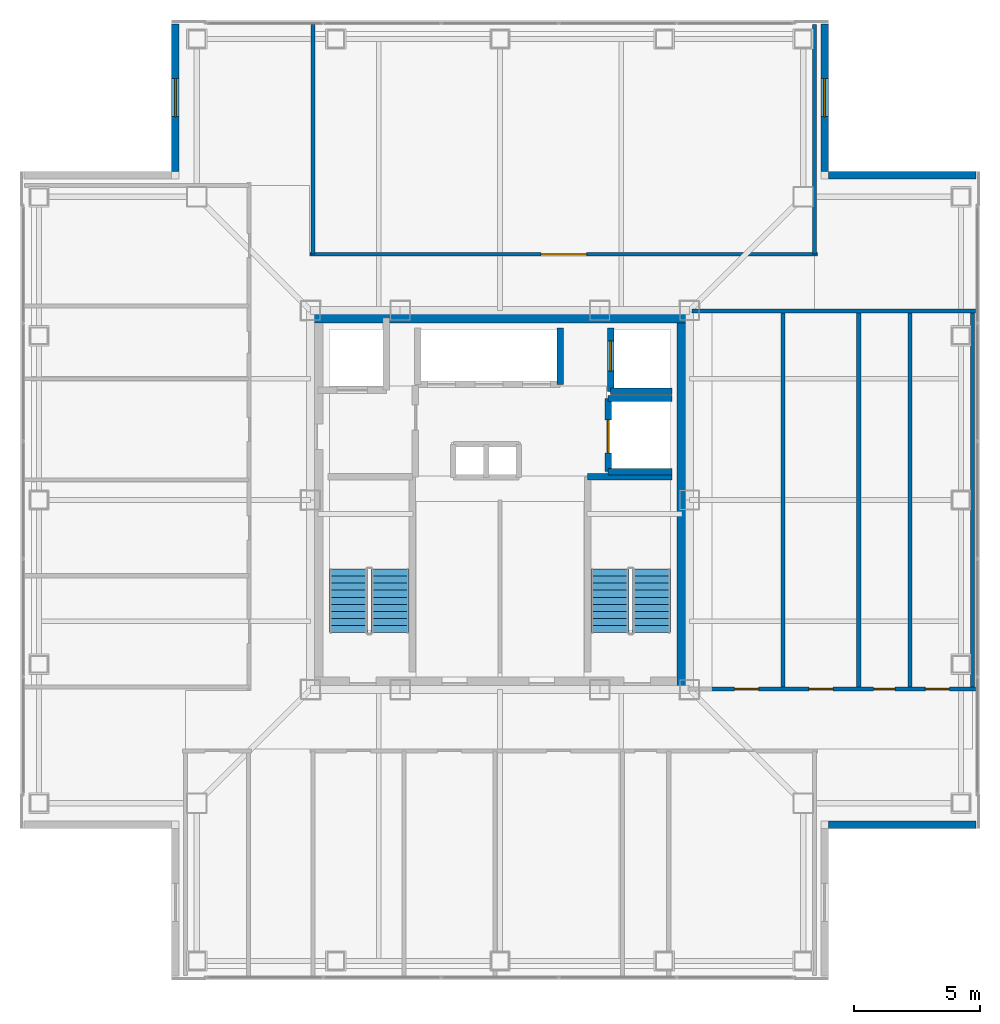
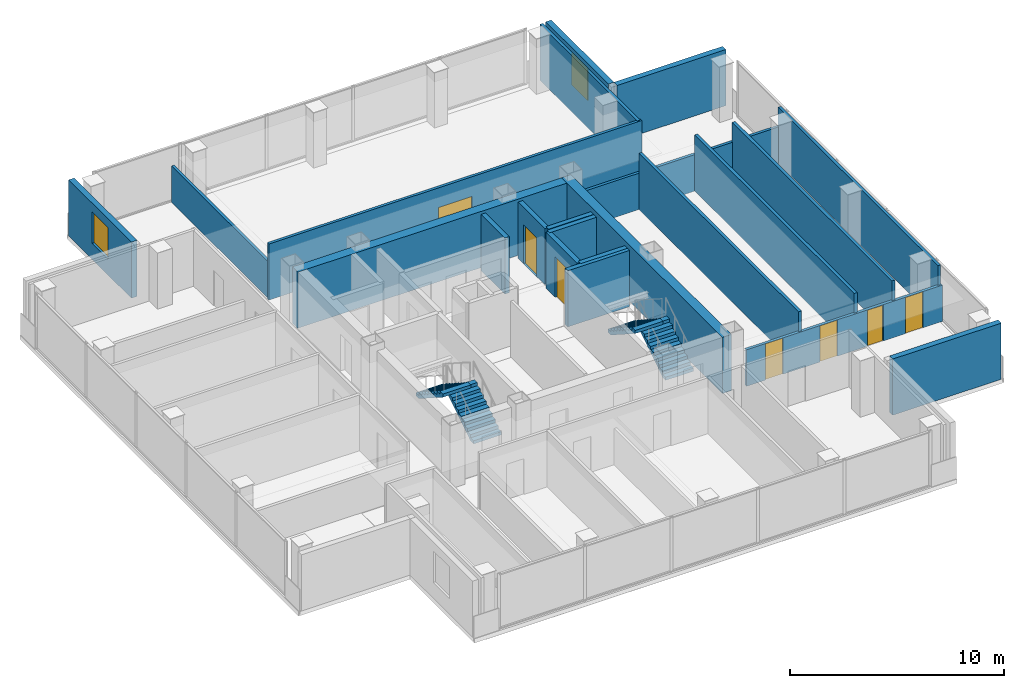
# One storey, part 10 of 16: 22 walls, 7 doors, 4 stair flights, 2 windows, 9 openings, 2 elements without a shape of their own.
"""IFC4 building model written with IfcOpenShell, lengths in metres."""

from ifc_helpers import new_model, si_unit, direction, frame, frame_2d, origin, place, context, subcontext, project, spatial, polyline, rectangle, outline, extrude, material, layer, layer_set, type_object, element, fill, aggregate, save


model = new_model("IFC4")

# Units and contexts
model_context = context("Model", 3, precision=1e-05, world=origin(), true_north=direction((0.0, 1.0)))
body_context = subcontext(model_context, "Body", "Model", "MODEL_VIEW")
ifc_project = project(units=[si_unit("LENGTHUNIT", "METRE"), si_unit("AREAUNIT", "SQUARE_METRE"), si_unit("VOLUMEUNIT", "CUBIC_METRE"), si_unit("PLANEANGLEUNIT", "RADIAN"), si_unit("MASSUNIT", "GRAM", prefix="KILO")], contexts=[model_context])

# Site, building, storey
site_placement = place(None, origin())
site = spatial("IfcSite", under=ifc_project, at=site_placement, CompositionType="ELEMENT")
building_placement = place(site_placement, origin())
building = spatial("IfcBuilding", under=site, at=building_placement, Name="Trevonay Congress Spire", CompositionType="ELEMENT")
storey_placement = place(building_placement, frame((0.0, 0.0, 297.199951171875)))
storey = spatial("IfcBuildingStorey", under=building, at=storey_placement, Name="L78", CompositionType="ELEMENT", Elevation=297.199951171875)

# Walls
ifc_material_1 = material(Name="Concrete C50/60", Category="concrete")
ifc_layer_1 = layer(ifc_material_1, 0.5, Name="Concrete C50/60")
ifc_layer_set_1 = layer_set([ifc_layer_1], Name="Concrete C50/60")
wall_type_1 = type_object("IfcWallType", Name="WAL-CORE-500", PredefinedType="SHEAR", material=ifc_layer_set_1)
for number, where, z_axis, x_axis, name in (
    (1, (-7.5, 7.25, 0.0), (0.0, 0.0, 1.0), (1.0, 0.0, 0.0), "L78 North structural core shear wall"),
    (2, (7.25, -7.5, 0.0), (0.0, 0.0, 1.0), (0.0, 1.0, 0.0), "L78 East structural core shear wall"),
):
    element("IfcWall", number, at=place(storey_placement, frame(where, z_axis=z_axis, x_axis=x_axis)), inside=storey, type_object=wall_type_1, Name=name, PredefinedType="SHEAR", context=body_context, shape_type="SweptSolid", body=[
        extrude(rectangle(XDim=15.0, YDim=0.5, at=frame_2d((7.5, 0.0))), origin(), (0.0, 0.0, 1.0), 3.199951171875),
    ])

# Wall, opening, door
ifc_material_2 = material(Name="Concrete C40/50", Category="concrete")
ifc_layer_2 = layer(ifc_material_2, 0.14990234375, Name="Concrete C40/50")
ifc_layer_set_2 = layer_set([ifc_layer_2], Name="Concrete C40/50")
wall_type_2 = type_object("IfcWallType", Name="WAL-CORR-150", PredefinedType="PARTITIONING", material=ifc_layer_set_2)
wall_1_placement = place(storey_placement, frame((-7.52001953125, 9.72998046875, 0.0), z_axis=(0.0, 0.0, 1.0), x_axis=(1.0, 0.0, 0.0)))
wall_1 = element("IfcWall", 3, at=wall_1_placement, inside=storey, type_object=wall_type_2, Name="L78 interior wall WP-L78N-COR", PredefinedType="PARTITIONING", context=body_context, shape_type="SweptSolid", body=[
    extrude(rectangle(XDim=20.090087890625, YDim=0.14990234375, at=frame_2d((10.044921875, 0.0))), origin(), (0.0, 0.0, 1.0), 3.199951171875),
])
opening_1_placement = place(wall_1_placement, frame((9.14501953125, 0.0, 0.0)))
opening_1 = element("IfcOpeningElement", 4, at=opening_1_placement, cuts=wall_1, Name="Opening D09", PredefinedType="OPENING", context=body_context, shape_type="SweptSolid", body=[
    extrude(rectangle(XDim=1.800048828125, YDim=2.080078125, at=frame_2d((0.89990234375, 1.0400390625))), frame((0.0, 0.0849609375, 0.0), z_axis=(0.0, -1.0, 0.0), x_axis=(1.0, 0.0, 0.0)), (0.0, 0.0, 1.0), 0.169921875),
])
ifc_material_3 = material(Name="Pale Anodised Aluminium EN AW-6063-T6", Category="aluminium")
door_type_1 = type_object("IfcDoorType", Name="DOR-CONF-DBL", OperationType="DOUBLE_DOOR_SINGLE_SWING", PredefinedType="DOOR", material=ifc_material_3)
door_1_placement = place(opening_1_placement, origin())
door_1 = element("IfcDoor", 5, at=door_1_placement, inside=storey, type_object=door_type_1, Name="L78 Harbour View Grand Banquet Dining Room Door", OperationType="DOUBLE_DOOR_SINGLE_SWING", OverallHeight=2.080078125, OverallWidth=1.800048828125, PredefinedType="DOOR", context=body_context, shape_type="SweptSolid", body=[
    extrude(rectangle(XDim=1.800048828125, YDim=2.080078125, at=frame_2d((0.89990234375, 1.0400390625))), frame((0.0, 0.02490234375, 0.0), z_axis=(0.0, -1.0, 0.0), x_axis=(1.0, 0.0, 0.0)), (0.0, 0.0, 1.0), 0.050048828125),
])
fill(opening_1, door_1)

# Wall, openings, doors
wall_2_placement = place(storey_placement, frame((8.280029296875, -7.47998046875, 0.0), z_axis=(0.0, 0.0, 1.0), x_axis=(1.0, 0.0, 0.0)))
wall_2 = element("IfcWall", 6, at=wall_2_placement, inside=storey, type_object=wall_type_2, Name="L78 interior wall WP-L78E-COR", PredefinedType="PARTITIONING", context=body_context, shape_type="SweptSolid", body=[
    extrude(rectangle(XDim=10.5400390625, YDim=0.14990234375, at=frame_2d((5.27001953125, 0.0))), origin(), (0.0, 0.0, 1.0), 2.074951171875),
])
opening_2_placement = place(wall_2_placement, frame((1.0048828125, 0.0, 0.0)))
opening_2 = element("IfcOpeningElement", 7, at=opening_2_placement, cuts=wall_2, Name="Opening D07", PredefinedType="OPENING", context=body_context, shape_type="SweptSolid", body=[
    extrude(rectangle(XDim=0.949951171875, YDim=2.06005859375, at=frame_2d((0.47509765625, 1.030029296875))), frame((0.0, 0.0849609375, 0.0), z_axis=(0.0, -1.0, 0.0), x_axis=(1.0, 0.0, 0.0)), (0.0, 0.0, 1.0), 0.169921875),
])
opening_3_placement = place(wall_2_placement, frame((3.945068359375, 0.0, 0.0)))
opening_3 = element("IfcOpeningElement", 8, at=opening_3_placement, cuts=wall_2, Name="Opening D07", PredefinedType="OPENING", context=body_context, shape_type="SweptSolid", body=[
    extrude(rectangle(XDim=0.949951171875, YDim=2.06005859375, at=frame_2d((0.47509765625, 1.030029296875))), frame((0.0, 0.0849609375, 0.0), z_axis=(0.0, -1.0, 0.0), x_axis=(1.0, 0.0, 0.0)), (0.0, 0.0, 1.0), 0.169921875),
])
opening_4_placement = place(wall_2_placement, frame((6.510009765625, 0.0, 0.0)))
opening_4 = element("IfcOpeningElement", 9, at=opening_4_placement, cuts=wall_2, Name="Opening D10", PredefinedType="OPENING", context=body_context, shape_type="SweptSolid", body=[
    extrude(rectangle(XDim=0.85009765625, YDim=2.050048828125, at=frame_2d((0.425048828125, 1.02490234375))), frame((0.0, 0.0849609375, 0.0), z_axis=(0.0, -1.0, 0.0), x_axis=(1.0, 0.0, 0.0)), (0.0, 0.0, 1.0), 0.169921875),
])
opening_5_placement = place(wall_2_placement, frame((8.56005859375, 0.0, 0.0)))
opening_5 = element("IfcOpeningElement", 10, at=opening_5_placement, cuts=wall_2, Name="Opening D07", PredefinedType="OPENING", context=body_context, shape_type="SweptSolid", body=[
    extrude(rectangle(XDim=0.949951171875, YDim=2.06005859375, at=frame_2d((0.47509765625, 1.030029296875))), frame((0.0, 0.0849609375, 0.0), z_axis=(0.0, -1.0, 0.0), x_axis=(1.0, 0.0, 0.0)), (0.0, 0.0, 1.0), 0.169921875),
])
door_type_2 = type_object("IfcDoorType", Name="DOR-OFFICE-95", OperationType="NOTDEFINED", PredefinedType="DOOR", material=ifc_material_3)
door_2_placement = place(opening_2_placement, origin())
door_2 = element("IfcDoor", 11, at=door_2_placement, inside=storey, type_object=door_type_2, Name="L78 Banquet Glassware Linen Store Door", OperationType="SINGLE_SWING_LEFT", OverallHeight=2.06005859375, OverallWidth=0.949951171875, PredefinedType="DOOR", context=body_context, shape_type="SweptSolid", body=[
    extrude(rectangle(XDim=0.949951171875, YDim=2.06005859375, at=frame_2d((0.47509765625, 1.030029296875))), frame((0.0, 0.02490234375, 0.0), z_axis=(0.0, -1.0, 0.0), x_axis=(1.0, 0.0, 0.0)), (0.0, 0.0, 1.0), 0.050048828125),
])
fill(opening_2, door_2)
door_3_placement = place(opening_3_placement, origin())
door_3 = element("IfcDoor", 12, at=door_3_placement, inside=storey, type_object=door_type_2, Name="L78 Butler Servery Kitchen Door", OperationType="SINGLE_SWING_RIGHT", OverallHeight=2.06005859375, OverallWidth=0.949951171875, PredefinedType="DOOR", context=body_context, shape_type="SweptSolid", body=[
    extrude(rectangle(XDim=0.949951171875, YDim=2.06005859375, at=frame_2d((0.47509765625, 1.030029296875))), frame((0.0, 0.02490234375, 0.0), z_axis=(0.0, -1.0, 0.0), x_axis=(1.0, 0.0, 0.0)), (0.0, 0.0, 1.0), 0.050048828125),
])
fill(opening_3, door_3)
door_4_placement = place(opening_5_placement, origin())
door_4 = element("IfcDoor", 13, at=door_4_placement, inside=storey, type_object=door_type_2, Name="L78 Floor Supplies and Copy Room Door", OperationType="SINGLE_SWING_RIGHT", OverallHeight=2.06005859375, OverallWidth=0.949951171875, PredefinedType="DOOR", context=body_context, shape_type="SweptSolid", body=[
    extrude(rectangle(XDim=0.949951171875, YDim=2.06005859375, at=frame_2d((0.47509765625, 1.030029296875))), frame((0.0, 0.02490234375, 0.0), z_axis=(0.0, -1.0, 0.0), x_axis=(1.0, 0.0, 0.0)), (0.0, 0.0, 1.0), 0.050048828125),
])
fill(opening_5, door_4)
door_type_3 = type_object("IfcDoorType", Name="DOR-WC-85", OperationType="NOTDEFINED", PredefinedType="DOOR", material=ifc_material_3)
door_5_placement = place(opening_4_placement, origin())
door_5 = element("IfcDoor", 14, at=door_5_placement, inside=storey, type_object=door_type_3, Name="L78 Female Restroom WC Door", OperationType="SINGLE_SWING_LEFT", OverallHeight=2.050048828125, OverallWidth=0.85009765625, PredefinedType="DOOR", context=body_context, shape_type="SweptSolid", body=[
    extrude(rectangle(XDim=0.85009765625, YDim=2.050048828125, at=frame_2d((0.425048828125, 1.02490234375))), frame((0.0, 0.02490234375, 0.0), z_axis=(0.0, -1.0, 0.0), x_axis=(1.0, 0.0, 0.0)), (0.0, 0.0, 1.0), 0.050048828125),
])
fill(opening_4, door_5)

# Wall
ifc_material_4 = material(Name="Precast concrete C40/50", Category="concrete")
ifc_layer_3 = layer(ifc_material_4, 0.300048828125, Name="Precast concrete C40/50")
ifc_layer_set_3 = layer_set([ifc_layer_3], Name="Precast concrete C40/50")
wall_type_3 = type_object("IfcWallType", Name="WAL-EXT-PRECAST-300", PredefinedType="SOLIDWALL", material=ifc_layer_set_3)
wall_3_placement = place(storey_placement, frame((18.85009765625, -12.85009765625, 0.0), z_axis=(0.0, 0.0, 1.0), x_axis=(-1.0, 0.0, 0.0)))
element("IfcWall", 15, at=wall_3_placement, inside=storey, type_object=wall_type_3, Name="L78 SE re-entrant notch exterior wall 2", PredefinedType="SOLIDWALL", context=body_context, shape_type="SweptSolid", body=[
    extrude(rectangle(XDim=5.85009765625, YDim=0.300048828125, at=frame_2d((2.925048828125, 0.0))), origin(), (0.0, 0.0, 1.0), 3.199951171875),
])

# Wall, opening, window
wall_4_placement = place(storey_placement, frame((12.85009765625, 18.85009765625, 0.0), z_axis=(0.0, 0.0, 1.0), x_axis=(0.0, -1.0, 0.0)))
wall_4 = element("IfcWall", 16, at=wall_4_placement, inside=storey, type_object=wall_type_3, Name="L78 NE re-entrant notch exterior wall 1", PredefinedType="SOLIDWALL", context=body_context, shape_type="SweptSolid", body=[
    extrude(rectangle(XDim=5.85009765625, YDim=0.300048828125, at=frame_2d((2.925048828125, 0.0))), origin(), (0.0, 0.0, 1.0), 3.199951171875),
])
opening_6_placement = place(wall_4_placement, frame((2.175048828125, 0.0, 0.89990234375)))
opening_6 = element("IfcOpeningElement", 17, at=opening_6_placement, cuts=wall_4, Name="Opening WN03", PredefinedType="OPENING", context=body_context, shape_type="SweptSolid", body=[
    extrude(rectangle(XDim=1.5, YDim=1.800048828125, at=frame_2d((0.75, 0.89990234375))), frame((0.0, 0.16015625, 0.0), z_axis=(0.0, -1.0, 0.0), x_axis=(1.0, 0.0, 0.0)), (0.0, 0.0, 1.0), 0.320068359375),
])
ifc_material_5 = material(Name="Insulated Low-E Vision Glass IGU", Category="glass")
window_type = type_object("IfcWindowType", Name="WIN-NOTCH-150X180", PartitioningType="SINGLE_PANEL", PredefinedType="WINDOW", material=ifc_material_5)
window_1_placement = place(opening_6_placement, origin())
window_1 = element("IfcWindow", 18, at=window_1_placement, inside=storey, type_object=window_type, Name="L78 NE corner notch window", OverallHeight=1.800048828125, OverallWidth=1.5, PartitioningType="SINGLE_PANEL", PredefinedType="WINDOW", context=body_context, shape_type="SweptSolid", body=[
    extrude(rectangle(XDim=1.5, YDim=1.800048828125, at=frame_2d((0.75, 0.89990234375))), frame((0.0, 0.030029296875, 0.0), z_axis=(0.0, -1.0, 0.0), x_axis=(1.0, 0.0, 0.0)), (0.0, 0.0, 1.0), 0.06005859375),
])
fill(opening_6, window_1)

# Wall
wall_5_placement = place(storey_placement, frame((18.85009765625, 12.85009765625, 0.0), z_axis=(0.0, 0.0, 1.0), x_axis=(-1.0, 0.0, 0.0)))
element("IfcWall", 19, at=wall_5_placement, inside=storey, type_object=wall_type_3, Name="L78 NE re-entrant notch exterior wall 2", PredefinedType="SOLIDWALL", context=body_context, shape_type="SweptSolid", body=[
    extrude(rectangle(XDim=5.85009765625, YDim=0.300048828125, at=frame_2d((2.925048828125, 0.0))), origin(), (0.0, 0.0, 1.0), 3.199951171875),
])

# Wall, opening, window
wall_6_placement = place(storey_placement, frame((-12.85009765625, 18.85009765625, 0.0), z_axis=(0.0, 0.0, 1.0), x_axis=(0.0, -1.0, 0.0)))
wall_6 = element("IfcWall", 20, at=wall_6_placement, inside=storey, type_object=wall_type_3, Name="L78 NW re-entrant notch exterior wall 1", PredefinedType="SOLIDWALL", context=body_context, shape_type="SweptSolid", body=[
    extrude(rectangle(XDim=5.85009765625, YDim=0.300048828125, at=frame_2d((2.925048828125, 0.0))), origin(), (0.0, 0.0, 1.0), 3.199951171875),
])
opening_7_placement = place(wall_6_placement, frame((2.175048828125, 0.0, 0.89990234375)))
opening_7 = element("IfcOpeningElement", 21, at=opening_7_placement, cuts=wall_6, Name="Opening WN03", PredefinedType="OPENING", context=body_context, shape_type="SweptSolid", body=[
    extrude(rectangle(XDim=1.5, YDim=1.800048828125, at=frame_2d((0.75, 0.89990234375))), frame((0.0, 0.16015625, 0.0), z_axis=(0.0, -1.0, 0.0), x_axis=(1.0, 0.0, 0.0)), (0.0, 0.0, 1.0), 0.320068359375),
])
window_2_placement = place(opening_7_placement, origin())
window_2 = element("IfcWindow", 22, at=window_2_placement, inside=storey, type_object=window_type, Name="L78 NW corner notch window", OverallHeight=1.800048828125, OverallWidth=1.5, PartitioningType="SINGLE_PANEL", PredefinedType="WINDOW", context=body_context, shape_type="SweptSolid", body=[
    extrude(rectangle(XDim=1.5, YDim=1.800048828125, at=frame_2d((0.75, 0.89990234375))), frame((0.0, 0.030029296875, 0.0), z_axis=(0.0, -1.0, 0.0), x_axis=(1.0, 0.0, 0.0)), (0.0, 0.0, 1.0), 0.06005859375),
])
fill(opening_7, window_2)

# Walls
ifc_layer_4 = layer(ifc_material_2, 0.14990234375, Name="Concrete C40/50")
ifc_layer_set_4 = layer_set([ifc_layer_4], Name="Concrete C40/50")
wall_type_4 = type_object("IfcWallType", Name="WAL-PART-150", PredefinedType="PARTITIONING", material=ifc_layer_set_4)
wall_7_placement = place(storey_placement, frame((-7.39990234375, 9.72998046875, 0.0), z_axis=(0.0, 0.0, 1.0), x_axis=(0.0, 1.0, 0.0)))
element("IfcWall", 23, at=wall_7_placement, inside=storey, type_object=wall_type_4, Name="L78 interior wall WP-L78N-DIV1", PredefinedType="PARTITIONING", context=body_context, shape_type="SweptSolid", body=[
    extrude(rectangle(XDim=9.090087890625, YDim=0.14990234375, at=frame_2d((4.544921875, 0.0))), origin(), (0.0, 0.0, 1.0), 2.074951171875),
])
wall_8_placement = place(storey_placement, frame((12.449951171875, 9.72998046875, 0.0), z_axis=(0.0, 0.0, 1.0), x_axis=(0.0, 1.0, 0.0)))
element("IfcWall", 24, at=wall_8_placement, inside=storey, type_object=wall_type_4, Name="L78 interior wall WP-L78N-DIV2", PredefinedType="PARTITIONING", context=body_context, shape_type="SweptSolid", body=[
    extrude(rectangle(XDim=9.090087890625, YDim=0.14990234375, at=frame_2d((4.544921875, 0.0))), origin(), (0.0, 0.0, 1.0), 3.199951171875),
])
wall_9_placement = place(storey_placement, frame((18.699951171875, -7.47998046875, 0.0), z_axis=(0.0, 0.0, 1.0), x_axis=(0.0, 1.0, 0.0)))
element("IfcWall", 25, at=wall_9_placement, inside=storey, type_object=wall_type_4, Name="L78 interior wall WP-L78E-DIV3", PredefinedType="PARTITIONING", context=body_context, shape_type="SweptSolid", body=[
    extrude(rectangle(XDim=14.89990234375, YDim=0.14990234375, at=frame_2d((7.449951171875, 0.0))), origin(), (0.0, 0.0, 1.0), 3.199951171875),
])
wall_10_placement = place(storey_placement, frame((7.60009765625, 7.47998046875, 0.0), z_axis=(0.0, 0.0, 1.0), x_axis=(1.0, 0.0, 0.0)))
element("IfcWall", 26, at=wall_10_placement, inside=storey, type_object=wall_type_4, Name="L78 interior wall WP-L78E-NCLS", PredefinedType="PARTITIONING", context=body_context, shape_type="SweptSolid", body=[
    extrude(rectangle(XDim=11.219970703125, YDim=0.14990234375, at=frame_2d((5.60986328125, 0.0))), origin(), (0.0, 0.0, 1.0), 2.074951171875),
])
ifc_layer_5 = layer(ifc_material_2, 0.25, Name="Concrete C40/50")
ifc_layer_set_5 = layer_set([ifc_layer_5], Name="Concrete C40/50")
wall_type_5 = type_object("IfcWallType", Name="WAL-SHAFT-250", PredefinedType="SHEAR", material=ifc_layer_set_5)
wall_11_placement = place(storey_placement, frame((2.3798828125, 4.580078125, 0.0), z_axis=(0.0, 0.0, 1.0), x_axis=(0.0, 1.0, 0.0)))
element("IfcWall", 27, at=wall_11_placement, inside=storey, type_object=wall_type_5, Name="L78 interior shaft wall WSH-L78-B3-E", PredefinedType="SHEAR", context=body_context, shape_type="SweptSolid", body=[
    extrude(rectangle(XDim=2.219970703125, YDim=0.25, at=frame_2d((1.10986328125, 0.0))), origin(), (0.0, 0.0, 1.0), 3.199951171875),
])
wall_12_placement = place(storey_placement, frame((4.3798828125, 4.300048828125, 0.0), z_axis=(0.0, 0.0, 1.0), x_axis=(1.0, 0.0, 0.0)))
element("IfcWall", 28, at=wall_12_placement, inside=storey, type_object=wall_type_5, Name="L78 interior shaft wall WSH-L78-FF2-S", PredefinedType="SHEAR", context=body_context, shape_type="SweptSolid", body=[
    extrude(rectangle(XDim=2.420166015625, YDim=0.25, at=frame_2d((1.2099609375, 0.0))), origin(), (0.0, 0.0, 1.0), 3.199951171875),
])

# Wall, opening, door
wall_13_placement = place(storey_placement, frame((4.3798828125, 4.300048828125, 0.0), z_axis=(0.0, 0.0, 1.0), x_axis=(0.0, 1.0, 0.0)))
wall_13 = element("IfcWall", 29, at=wall_13_placement, inside=storey, type_object=wall_type_5, Name="L78 interior shaft wall WSH-L78-FF2-W", PredefinedType="SHEAR", context=body_context, shape_type="SweptSolid", body=[
    extrude(rectangle(XDim=2.5, YDim=0.25, at=frame_2d((1.25, 0.0))), origin(), (0.0, 0.0, 1.0), 3.199951171875),
])
opening_8_placement = place(wall_13_placement, frame((0.800048828125, 0.0, 0.0)))
opening_8 = element("IfcOpeningElement", 30, at=opening_8_placement, cuts=wall_13, Name="Opening LD04", PredefinedType="OPENING", context=body_context, shape_type="SweptSolid", body=[
    extrude(rectangle(XDim=1.199951171875, YDim=2.199951171875, at=frame_2d((0.60009765625, 1.10009765625))), frame((0.0, 0.135009765625, 0.0), z_axis=(0.0, -1.0, 0.0), x_axis=(1.0, 0.0, 0.0)), (0.0, 0.0, 1.0), 0.27001953125),
])
ifc_material_6 = material(Name="Steel ASTM A572 Grade 50", Category="steel")
door_type_4 = type_object("IfcDoorType", Name="DOR-LIFT-LD04", OperationType="DOUBLE_DOOR_SLIDING", PredefinedType="DOOR", material=ifc_material_6)
door_6_placement = place(opening_8_placement, origin())
door_6 = element("IfcDoor", 31, at=door_6_placement, inside=storey, type_object=door_type_4, Name="L78 Firefighting lift FFL-02 landing door", OperationType="DOUBLE_DOOR_SLIDING", OverallHeight=2.199951171875, OverallWidth=1.199951171875, PredefinedType="DOOR", context=body_context, shape_type="SweptSolid", body=[
    extrude(rectangle(XDim=1.199951171875, YDim=2.199951171875, at=frame_2d((0.60009765625, 1.10009765625))), frame((0.0, 0.02490234375, 0.0), z_axis=(0.0, -1.0, 0.0), x_axis=(1.0, 0.0, 0.0)), (0.0, 0.0, 1.0), 0.050048828125),
])
fill(opening_8, door_6)

wall_14_placement = place(storey_placement, frame((4.280029296875, 1.1201171875, 0.0), z_axis=(0.0, 0.0, 1.0), x_axis=(0.0, 1.0, 0.0)))
wall_14 = element("IfcWall", 32, at=wall_14_placement, inside=storey, type_object=wall_type_5, Name="L78 interior shaft wall WSH-L78-SV-W", PredefinedType="SHEAR", context=body_context, shape_type="SweptSolid", body=[
    extrude(rectangle(XDim=2.89990234375, YDim=0.25, at=frame_2d((1.449951171875, 0.0))), origin(), (0.0, 0.0, 1.0), 3.199951171875),
])
opening_9_placement = place(wall_14_placement, frame((0.75, 0.0, 0.0)))
opening_9 = element("IfcOpeningElement", 33, at=opening_9_placement, cuts=wall_14, Name="Opening LD05", PredefinedType="OPENING", context=body_context, shape_type="SweptSolid", body=[
    extrude(rectangle(XDim=1.300048828125, YDim=2.300048828125, at=frame_2d((0.64990234375, 1.14990234375))), frame((0.0, 0.135009765625, 0.0), z_axis=(0.0, -1.0, 0.0), x_axis=(1.0, 0.0, 0.0)), (0.0, 0.0, 1.0), 0.27001953125),
])
door_type_5 = type_object("IfcDoorType", Name="DOR-LIFT-LD05", OperationType="DOUBLE_DOOR_SLIDING", PredefinedType="DOOR", material=ifc_material_6)
door_7_placement = place(opening_9_placement, origin())
door_7 = element("IfcDoor", 34, at=door_7_placement, inside=storey, type_object=door_type_5, Name="L78 Goods lift SVL-01 landing door", OperationType="DOUBLE_DOOR_SLIDING", OverallHeight=2.300048828125, OverallWidth=1.300048828125, PredefinedType="DOOR", context=body_context, shape_type="SweptSolid", body=[
    extrude(rectangle(XDim=1.300048828125, YDim=2.300048828125, at=frame_2d((0.64990234375, 1.14990234375))), frame((0.0, 0.02490234375, 0.0), z_axis=(0.0, -1.0, 0.0), x_axis=(1.0, 0.0, 0.0)), (0.0, 0.0, 1.0), 0.050048828125),
])
fill(opening_9, door_7)

# Walls
for number, where, z_axis, x_axis, name in (
    (35, (4.280029296875, 1.1201171875, 0.0), (0.0, 0.0, 1.0), (1.0, 0.0, 0.0), "L78 interior shaft wall WSH-L78-SV-S"),
    (36, (4.280029296875, 4.02001953125, 0.0), (0.0, 0.0, 1.0), (1.0, 0.0, 0.0), "L78 interior shaft wall WSH-L78-SV-N"),
):
    element("IfcWall", number, at=place(storey_placement, frame(where, z_axis=z_axis, x_axis=x_axis)), inside=storey, type_object=wall_type_5, Name=name, PredefinedType="SHEAR", context=body_context, shape_type="SweptSolid", body=[
        extrude(rectangle(XDim=2.52001953125, YDim=0.25, at=frame_2d((1.260009765625, 0.0))), origin(), (0.0, 0.0, 1.0), 3.199951171875),
    ])
ifc_layer_6 = layer(ifc_material_2, 0.25, Name="Concrete C40/50")
ifc_layer_set_6 = layer_set([ifc_layer_6], Name="Concrete C40/50")
wall_type_6 = type_object("IfcWallType", Name="WAL-SHAFT-LB-250", PredefinedType="SHEAR", material=ifc_layer_set_6)
wall_15_placement = place(storey_placement, frame((3.469970703125, 0.919921875, 0.0), z_axis=(0.0, 0.0, 1.0), x_axis=(1.0, 0.0, 0.0)))
element("IfcWall", 37, at=wall_15_placement, inside=storey, type_object=wall_type_6, Name="L78 interior shaft wall WSH-L78-ST2-N", PredefinedType="SHEAR", context=body_context, shape_type="SweptSolid", body=[
    extrude(rectangle(XDim=3.330078125, YDim=0.25, at=frame_2d((1.6650390625, 0.0))), origin(), (0.0, 0.0, 1.0), 3.199951171875),
])
ifc_layer_7 = layer(ifc_material_2, 0.1650390625, Name="Concrete C40/50")
ifc_layer_set_7 = layer_set([ifc_layer_7], Name="Concrete C40/50")
wall_type_7 = type_object("IfcWallType", Name="WAL-WET-165", PredefinedType="PLUMBINGWALL", material=ifc_layer_set_7)
for number, where, z_axis, x_axis, name in (
    (38, (16.22998046875, -7.47998046875, 0.0), (0.0, 0.0, 1.0), (0.0, 1.0, 0.0), "L78 interior wall WP-L78E-WCS3"),
    (39, (11.199951171875, -7.47998046875, 0.0), (0.0, 0.0, 1.0), (0.0, 1.0, 0.0), "L78 interior wall WP-L78E-DIV1"),
    (40, (14.199951171875, -7.47998046875, 0.0), (0.0, 0.0, 1.0), (0.0, 1.0, 0.0), "L78 interior wall WP-L78E-DIV2"),
):
    element("IfcWall", number, at=place(storey_placement, frame(where, z_axis=z_axis, x_axis=x_axis)), inside=storey, type_object=wall_type_7, Name=name, PredefinedType="PLUMBINGWALL", context=body_context, shape_type="SweptSolid", body=[
        extrude(rectangle(XDim=14.89990234375, YDim=0.1650390625, at=frame_2d((7.449951171875, 0.0))), origin(), (0.0, 0.0, 1.0), 3.199951171875),
    ])

# Stair, stair flights
stair_type_1 = type_object("IfcStairType", Name="STR-ST-1", PredefinedType="HALF_TURN_STAIR", material=ifc_material_2)
stair_1_placement = place(storey_placement, origin())
stair_1 = element("IfcStair", 41, at=stair_1_placement, inside=storey, type_object=stair_type_1, Name="L78 Protected Exit Stair ST-1", PredefinedType="HALF_TURN_STAIR")
stair_flight_type_1 = type_object("IfcStairFlightType", Name="SFL-ST-1", PredefinedType="STRAIGHT", material=ifc_material_2)
stair_flight_1_placement = place(storey_placement, frame((-4.35009765625, -5.25, 0.0), z_axis=(0.0, 0.0, 1.0), x_axis=(0.0, 1.0, 0.0)))
stair_flight_1 = element("IfcStairFlight", 42, at=stair_flight_1_placement, type_object=stair_flight_type_1, Name="ST-1 flight 1", NumberOfRisers=10, NumberOfTreads=9, PredefinedType="STRAIGHT", RiserHeight=0.18, TreadLength=0.28, context=body_context, shape_type="SweptSolid", body=[
    extrude(outline(polyline([(0.0, 0.0), (0.0, 0.179931640625), (0.280029296875, 0.179931640625), (0.280029296875, 0.360107421875), (0.56005859375, 0.360107421875), (0.56005859375, 0.5400390625), (0.840087890625, 0.5400390625), (0.840087890625, 0.719970703125), (1.1201171875, 0.719970703125), (1.1201171875, 0.89990234375), (1.39990234375, 0.89990234375), (1.39990234375, 1.080078125), (1.679931640625, 1.080078125), (1.679931640625, 1.260009765625), (1.9599609375, 1.260009765625), (1.9599609375, 1.43994140625), (2.239990234375, 1.43994140625), (2.239990234375, 1.6201171875), (2.52001953125, 1.6201171875), (2.52001953125, 1.800048828125), (2.52001953125, 1.44189453125), (0.277099609375, 0.0), (0.0, 0.0)])), frame((0.0, 0.75, 0.0), z_axis=(0.0, -1.0, 0.0), x_axis=(1.0, 0.0, 0.0)), (0.0, 0.0, 1.0), 1.5),
])
stair_flight_2_placement = place(storey_placement, frame((-6.0, -2.72998046875, 1.800048828125), z_axis=(0.0, 0.0, 1.0), x_axis=(0.0, -1.0, 0.0)))
stair_flight_2 = element("IfcStairFlight", 43, at=stair_flight_2_placement, type_object=stair_flight_type_1, Name="ST-1 flight 2", NumberOfRisers=10, NumberOfTreads=9, PredefinedType="STRAIGHT", RiserHeight=0.18, TreadLength=0.28, context=body_context, shape_type="SweptSolid", body=[
    extrude(outline(polyline([(0.0, 0.0), (0.0, 0.179931640625), (0.280029296875, 0.179931640625), (0.280029296875, 0.360107421875), (0.56005859375, 0.360107421875), (0.56005859375, 0.5400390625), (0.840087890625, 0.5400390625), (0.840087890625, 0.719970703125), (1.1201171875, 0.719970703125), (1.1201171875, 0.89990234375), (1.39990234375, 0.89990234375), (1.39990234375, 1.080078125), (1.679931640625, 1.080078125), (1.679931640625, 1.260009765625), (1.9599609375, 1.260009765625), (1.9599609375, 1.43994140625), (2.239990234375, 1.43994140625), (2.239990234375, 1.6201171875), (2.52001953125, 1.6201171875), (2.52001953125, 1.800048828125), (2.52001953125, 1.44189453125), (0.277099609375, 0.0), (0.0, 0.0)])), frame((0.0, 0.75, 0.0), z_axis=(0.0, -1.0, 0.0), x_axis=(1.0, 0.0, 0.0)), (0.0, 0.0, 1.0), 1.5),
])
aggregate(stair_1, [stair_flight_1, stair_flight_2])

stair_type_2 = type_object("IfcStairType", Name="STR-ST-2", PredefinedType="HALF_TURN_STAIR", material=ifc_material_2)
stair_2_placement = place(storey_placement, origin())
stair_2 = element("IfcStair", 44, at=stair_2_placement, inside=storey, type_object=stair_type_2, Name="L78 Protected Exit Stair ST-2", PredefinedType="HALF_TURN_STAIR")
stair_flight_type_2 = type_object("IfcStairFlightType", Name="SFL-ST-2", PredefinedType="STRAIGHT", material=ifc_material_2)
stair_flight_3_placement = place(storey_placement, frame((6.0, -5.25, 0.0), z_axis=(0.0, 0.0, 1.0), x_axis=(0.0, 1.0, 0.0)))
stair_flight_3 = element("IfcStairFlight", 45, at=stair_flight_3_placement, type_object=stair_flight_type_2, Name="ST-2 flight 1", NumberOfRisers=10, NumberOfTreads=9, PredefinedType="STRAIGHT", RiserHeight=0.18, TreadLength=0.28, context=body_context, shape_type="SweptSolid", body=[
    extrude(outline(polyline([(0.0, 0.0), (0.0, 0.179931640625), (0.280029296875, 0.179931640625), (0.280029296875, 0.360107421875), (0.56005859375, 0.360107421875), (0.56005859375, 0.5400390625), (0.840087890625, 0.5400390625), (0.840087890625, 0.719970703125), (1.1201171875, 0.719970703125), (1.1201171875, 0.89990234375), (1.39990234375, 0.89990234375), (1.39990234375, 1.080078125), (1.679931640625, 1.080078125), (1.679931640625, 1.260009765625), (1.9599609375, 1.260009765625), (1.9599609375, 1.43994140625), (2.239990234375, 1.43994140625), (2.239990234375, 1.6201171875), (2.52001953125, 1.6201171875), (2.52001953125, 1.800048828125), (2.52001953125, 1.44189453125), (0.277099609375, 0.0), (0.0, 0.0)])), frame((0.0, 0.75, 0.0), z_axis=(0.0, -1.0, 0.0), x_axis=(1.0, 0.0, 0.0)), (0.0, 0.0, 1.0), 1.5),
])
stair_flight_4_placement = place(storey_placement, frame((4.35009765625, -2.72998046875, 1.800048828125), z_axis=(0.0, 0.0, 1.0), x_axis=(0.0, -1.0, 0.0)))
stair_flight_4 = element("IfcStairFlight", 46, at=stair_flight_4_placement, type_object=stair_flight_type_2, Name="ST-2 flight 2", NumberOfRisers=10, NumberOfTreads=9, PredefinedType="STRAIGHT", RiserHeight=0.18, TreadLength=0.28, context=body_context, shape_type="SweptSolid", body=[
    extrude(outline(polyline([(0.0, 0.0), (0.0, 0.179931640625), (0.280029296875, 0.179931640625), (0.280029296875, 0.360107421875), (0.56005859375, 0.360107421875), (0.56005859375, 0.5400390625), (0.840087890625, 0.5400390625), (0.840087890625, 0.719970703125), (1.1201171875, 0.719970703125), (1.1201171875, 0.89990234375), (1.39990234375, 0.89990234375), (1.39990234375, 1.080078125), (1.679931640625, 1.080078125), (1.679931640625, 1.260009765625), (1.9599609375, 1.260009765625), (1.9599609375, 1.43994140625), (2.239990234375, 1.43994140625), (2.239990234375, 1.6201171875), (2.52001953125, 1.6201171875), (2.52001953125, 1.800048828125), (2.52001953125, 1.44189453125), (0.277099609375, 0.0), (0.0, 0.0)])), frame((0.0, 0.75, 0.0), z_axis=(0.0, -1.0, 0.0), x_axis=(1.0, 0.0, 0.0)), (0.0, 0.0, 1.0), 1.5),
])
aggregate(stair_2, [stair_flight_3, stair_flight_4])

save(model, "model.ifc")
